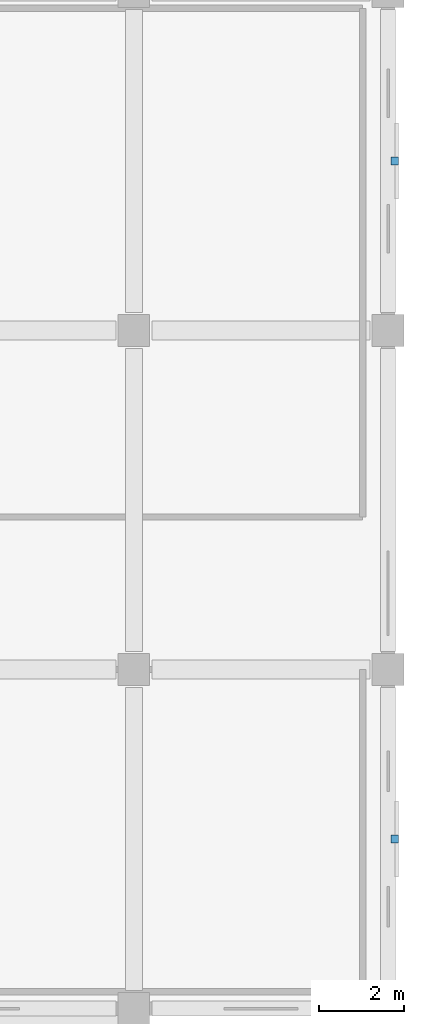
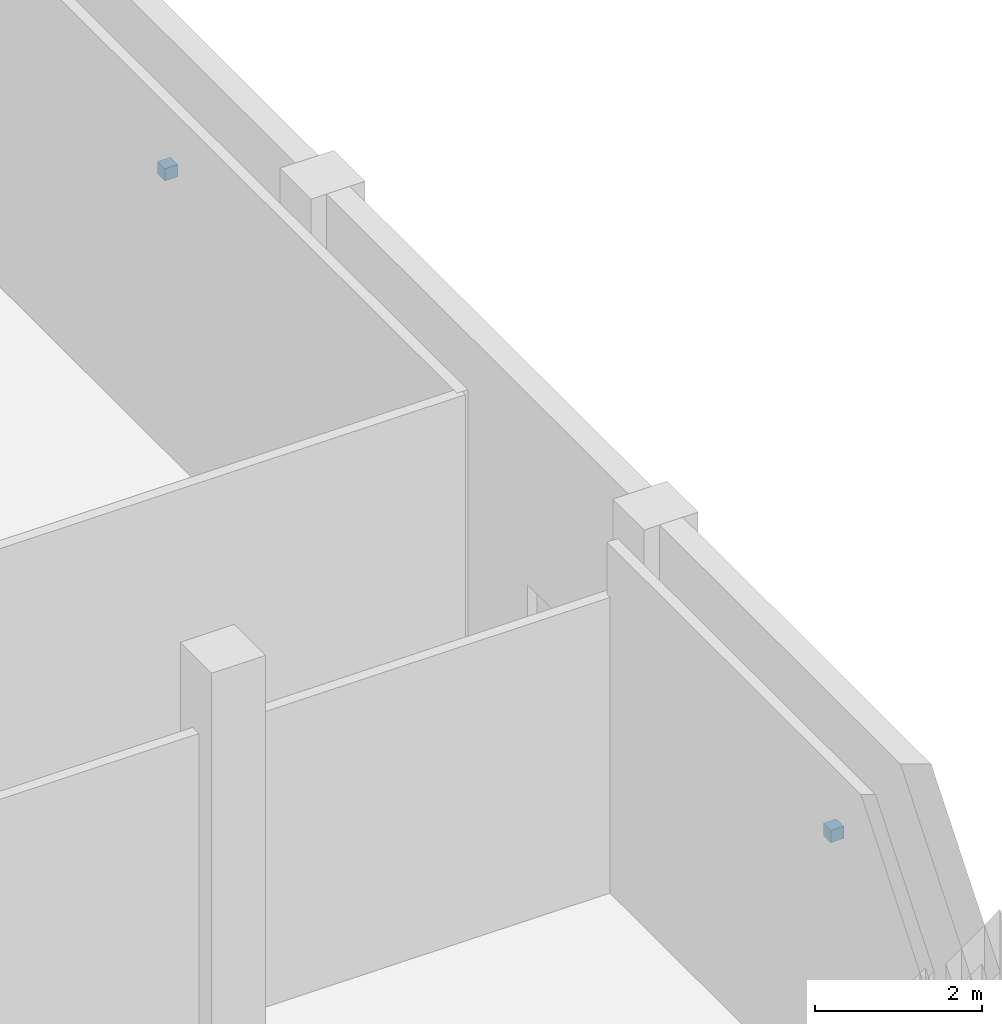
# One storey, part 29 of 40: 2 discrete accessories.
"""IFC4 building model written with IfcOpenShell, lengths in metres."""

from ifc_helpers import new_model, si_unit, direction, frame, origin, origin_2d, place, context, subcontext, project, spatial, rectangle, extrude, material, type_object, element, save


model = new_model("IFC4")

# Units and contexts
model_context = context("Model", 3, precision=1e-05, world=origin(), true_north=direction((0.0, 1.0)))
body_context = subcontext(model_context, "Body", "Model", "MODEL_VIEW")
ifc_project = project(units=[si_unit("LENGTHUNIT", "METRE"), si_unit("AREAUNIT", "SQUARE_METRE"), si_unit("VOLUMEUNIT", "CUBIC_METRE"), si_unit("PLANEANGLEUNIT", "RADIAN"), si_unit("MASSUNIT", "GRAM", prefix="KILO")], contexts=[model_context])

# Site, building, storey
site_placement = place(None, origin())
site = spatial("IfcSite", under=ifc_project, at=site_placement, CompositionType="ELEMENT")
building_placement = place(site_placement, origin())
building = spatial("IfcBuilding", under=site, at=building_placement, Name="Qorikala Patio Media Centre", CompositionType="ELEMENT")
storey_placement = place(building_placement, origin())
storey = spatial("IfcBuildingStorey", under=building, at=storey_placement, Name="L00", CompositionType="ELEMENT", Elevation=0.0)

# Discrete accessories
ifc_material = material(Name="Steel S355", Category="steel")
discrete_accessory_type = type_object("IfcDiscreteAccessoryType", Name="ACC-BRACKET", PredefinedType="BRACKET", material=ifc_material)
for number, where, z_axis, x_axis, name in (
    (1, (167.159912109375, 23.0, 2.91015625), (0.0, 0.0, 1.0), (0.0, -1.0, 0.0), "L00 Louvre Support Bracket 001"),
    (2, (167.159912109375, 7.0, 2.91015625), (0.0, 0.0, 1.0), (0.0, -1.0, 0.0), "L00 Louvre Support Bracket 002"),
):
    element("IfcDiscreteAccessory", number, at=place(storey_placement, frame(where, z_axis=z_axis, x_axis=x_axis)), inside=storey, type_object=discrete_accessory_type, Name=name, PredefinedType="BRACKET", context=body_context, shape_type="SweptSolid", body=[
        extrude(rectangle(XDim=0.179931640625, YDim=0.179931640625, at=origin_2d()), origin(), (0.0, 0.0, 1.0), 0.179931640625),
    ])

save(model, "model.ifc")
